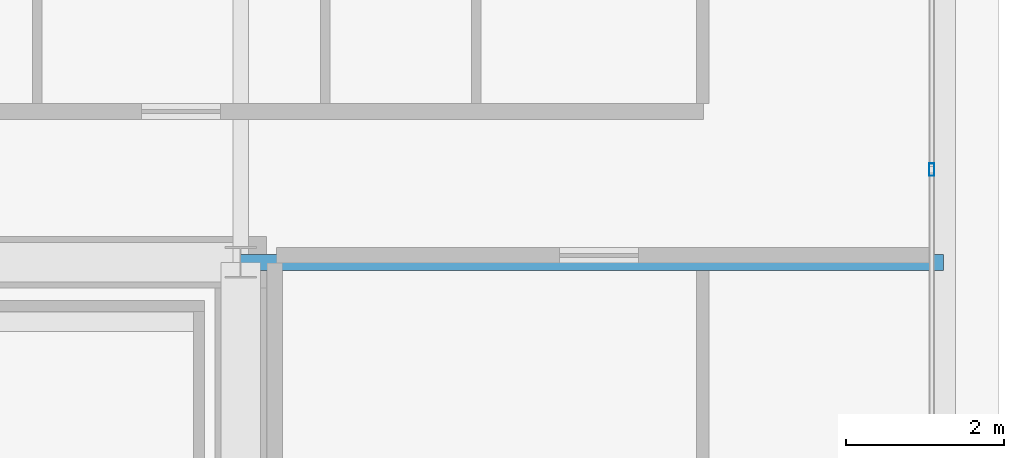
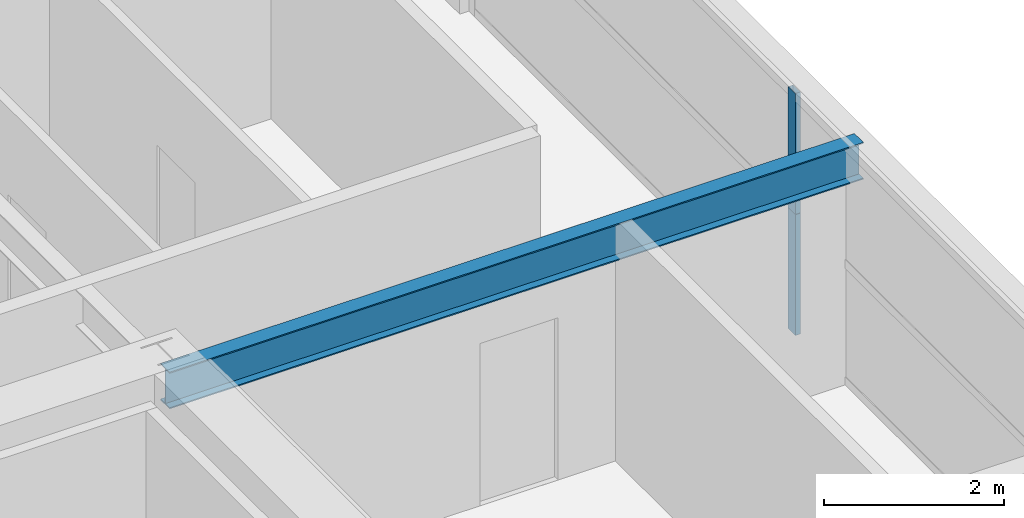
# One storey, part 23 of 42: 2 members, 1 beam, 1 element without a shape of its own.
"""IFC4 building model written with IfcOpenShell, lengths in metres."""

from ifc_helpers import new_model, si_unit, direction, frame, origin, origin_2d, place, context, subcontext, project, spatial, hollow_rectangle, i_section, extrude, source, transform, mapped, material, layer, layer_set, material_profile, profile_set, type_object, element, aggregate, save


model = new_model("IFC4")

# Units and contexts
model_context = context("Model", 3, precision=1e-05, world=origin(), true_north=direction((0.0, 1.0)))
body_context = subcontext(model_context, "Body", "Model", "MODEL_VIEW")
ifc_project = project(units=[si_unit("LENGTHUNIT", "METRE"), si_unit("AREAUNIT", "SQUARE_METRE"), si_unit("VOLUMEUNIT", "CUBIC_METRE"), si_unit("PLANEANGLEUNIT", "RADIAN"), si_unit("MASSUNIT", "GRAM", prefix="KILO"), si_unit("THERMODYNAMICTEMPERATUREUNIT", "KELVIN"), si_unit("POWERUNIT", "WATT")], contexts=[model_context])

# Site, building, storey
site_placement = place(None, origin())
site = spatial("IfcSite", under=ifc_project, at=site_placement, CompositionType="ELEMENT")
building_placement = place(site_placement, origin())
building = spatial("IfcBuilding", under=site, at=building_placement, Name="Yuzanri Waterfront Tower", CompositionType="ELEMENT")
storey_placement = place(building_placement, frame((0.0, 0.0, 205.5)))
storey = spatial("IfcBuildingStorey", under=building, at=storey_placement, Name="L54", CompositionType="ELEMENT", Elevation=205.5)

# Beam
ifc_material_1 = material(Name="Steel Q355B", Category="steel")
ifc_material_profile_1 = material_profile(ifc_material_1, i_section(OverallWidth=0.199951171875, OverallDepth=0.5, WebThickness=0.010009765625, FlangeThickness=0.01611328125, at=origin_2d()), Name="HN 500x200x10x16")
ifc_profile_set_1 = profile_set([ifc_material_profile_1], Name="Steel Q355B")
beam_type = type_object("IfcBeamType", Name="Secondary Floor Beam Q355B HN 500x200", PredefinedType="BEAM", material=ifc_profile_set_1)
shared_shape_1 = source(origin(), body_context, "Body", "SweptSolid", [
    extrude(i_section(OverallWidth=0.199951171875, OverallDepth=0.5, WebThickness=0.010009765625, FlangeThickness=0.01611328125, at=origin_2d()), origin(), (0.0, 0.0, 1.0), 8.900146484375),
])
beam_placement = place(storey_placement, frame((50.199951171875, 32.199951171875, 3.030029296875), z_axis=(1.0, 0.0, 0.0), x_axis=(0.0, 1.0, 0.0)))
element("IfcBeam", 1, at=beam_placement, inside=storey, type_object=beam_type, Name="L54 East-North Core Line Beam", PredefinedType="BEAM", context=body_context, shape_type="MappedRepresentation", body=[
    mapped(shared_shape_1, transform((0.0, 0.0, 0.0), scale=1.0)),
])

# Curtain wall, members
ifc_material_2 = material(Name="Anodized Architectural Bronze", Category="metal")
ifc_layer = layer(ifc_material_2, 0.159912109375)
ifc_layer_set = layer_set([ifc_layer], Name="Anodized Architectural Bronze")
curtain_wall_type = type_object("IfcCurtainWallType", Name="Anodized Bronze Mid-Rise Residential Acoustic Unitized Curtain Wall 7200", PredefinedType="NOTDEFINED", material=ifc_layer_set)
curtain_wall_placement = place(storey_placement, origin())
curtain_wall = element("IfcCurtainWall", 2, at=curtain_wall_placement, inside=storey, type_object=curtain_wall_type, Name="L54 Curtain Wall CW-L54-ER", PredefinedType="NOTDEFINED")
ifc_material_3 = material(Name="Anodized Architectural Bronze", Category="metal")
ifc_material_profile_2 = material_profile(ifc_material_3, hollow_rectangle(XDim=0.06494140625, YDim=0.159912109375, WallThickness=0.00341796875, at=origin_2d()), Name="CWM 65x160")
ifc_profile_set_2 = profile_set([ifc_material_profile_2], Name="Anodized Architectural Bronze")
member_type = type_object("IfcMemberType", Name="Anodized Bronze Upper-Zone Curtain-Wall Mullion 65x160", PredefinedType="MULLION", material=ifc_profile_set_2)
shared_shape_2 = source(origin(), body_context, "Body", "SweptSolid", [
    extrude(hollow_rectangle(XDim=0.06494140625, YDim=0.159912109375, WallThickness=0.00341796875, at=origin_2d()), origin(), (0.0, 0.0, 1.0), 1.637939453125),
])
member_1_placement = place(storey_placement, frame((58.949951171875, 33.375, 0.0), z_axis=(0.0, 0.0, 1.0), x_axis=(1.0, 0.0, 0.0)))
member_1 = element("IfcMember", 3, at=member_1_placement, type_object=member_type, Name="CW-L54-ER Lower Mullion 01", PredefinedType="MULLION", context=body_context, shape_type="MappedRepresentation", body=[
    mapped(shared_shape_2, transform((0.0, 0.0, 0.0), scale=1.0)),
])
member_2_placement = place(storey_placement, frame((58.949951171875, 33.375, 1.64208984375), z_axis=(0.0, 0.0, 1.0), x_axis=(1.0, 0.0, 0.0)))
member_2 = element("IfcMember", 4, at=member_2_placement, type_object=member_type, Name="CW-L54-ER Upper Mullion 01", PredefinedType="MULLION", context=body_context, shape_type="MappedRepresentation", body=[
    mapped(shared_shape_2, transform((0.0, 0.0, 0.0), scale=1.0)),
])
aggregate(curtain_wall, [member_1, member_2])

save(model, "model.ifc")
